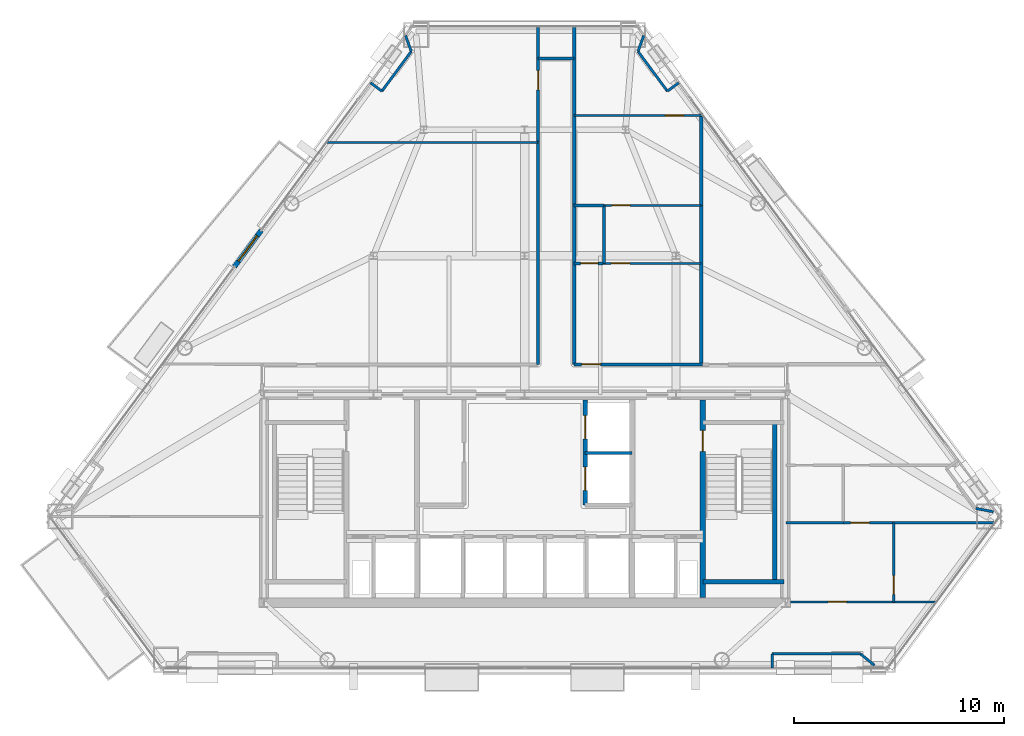
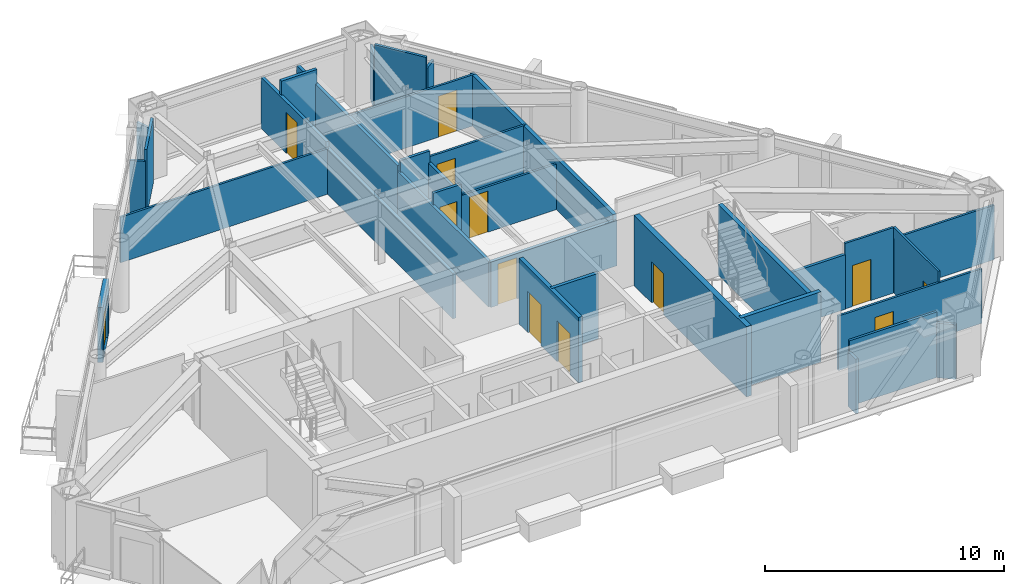
# One storey, part 8 of 11: 36 walls, 13 doors, 13 openings.
"""IFC4 building model written with IfcOpenShell, lengths in metres."""

from ifc_helpers import new_model, si_unit, direction, frame, frame_2d, origin, place, context, subcontext, project, spatial, rectangle, extrude, material, layer, layer_set, type_object, element, fill, save


model = new_model("IFC4")

# Units and contexts
model_context = context("Model", 3, precision=1e-05, world=origin(), true_north=direction((0.0, 1.0)))
body_context = subcontext(model_context, "Body", "Model", "MODEL_VIEW")
ifc_project = project(units=[si_unit("LENGTHUNIT", "METRE"), si_unit("AREAUNIT", "SQUARE_METRE"), si_unit("VOLUMEUNIT", "CUBIC_METRE"), si_unit("PLANEANGLEUNIT", "RADIAN"), si_unit("MASSUNIT", "GRAM", prefix="KILO")], contexts=[model_context])

# Site, building, storey
site_placement = place(None, origin())
site = spatial("IfcSite", under=ifc_project, at=site_placement, CompositionType="ELEMENT")
building_placement = place(site_placement, origin())
building = spatial("IfcBuilding", under=site, at=building_placement, Name="Talgorran Terracotta Tower", CompositionType="ELEMENT")
storey_placement = place(building_placement, frame((0.0, 0.0, 129.300048828125)))
storey = spatial("IfcBuildingStorey", under=building, at=storey_placement, Name="L33", CompositionType="ELEMENT", Elevation=129.300048828125)

# Wall, opening, door
ifc_material_1 = material(Name="Concrete C40/50", Category="concrete")
ifc_layer_1 = layer(ifc_material_1, 0.239990234375, Name="WT_BALCONY_SPAND")
ifc_layer_set_1 = layer_set([ifc_layer_1], Name="Concrete C40/50")
wall_type_1 = type_object("IfcWallType", Name="WT_BALCONY_SPAND", PredefinedType="STANDARD", material=ifc_layer_set_1)
wall_1_placement = place(storey_placement, frame((-12.5322265625, 3.613525390625, -0.01513671875), z_axis=(0.0, 0.0, 1.0), x_axis=(-0.594381437757, -0.804183254271, 0.0)))
wall_1 = element("IfcWall", 1, at=wall_1_placement, inside=storey, type_object=wall_type_1, Name="WL-L33-BALP-BAL-NW", PredefinedType="STANDARD", context=body_context, shape_type="SweptSolid", body=[
    extrude(rectangle(XDim=2.139892578125, YDim=0.239990234375, at=frame_2d((1.06982421875, 0.0))), origin(), (0.0, 0.0, 1.0), 2.80712890625),
])
opening_1_placement = place(wall_1_placement, frame((0.320068359375, 0.0, 0.014892578125)))
opening_1 = element("IfcOpeningElement", 2, at=opening_1_placement, cuts=wall_1, Name="Opening D-BAL-L33-2", PredefinedType="OPENING", context=body_context, shape_type="SweptSolid", body=[
    extrude(rectangle(XDim=1.506, YDim=2.203951171875, at=frame_2d((0.75, 1.10205078125))), frame((0.0, 0.1298828125, 0.0), z_axis=(0.0, -1.0, 0.0), x_axis=(1.0, 0.0, 0.0)), (0.0, 0.0, 1.0), 0.260009765625),
])
ifc_material_2 = material(Name="Thermally Broken Aluminium", Category="aluminium")
door_type_1 = type_object("IfcDoorType", Name="DT_BALC_1500", OperationType="SLIDING_TO_RIGHT", PredefinedType="DOOR", material=ifc_material_2)
door_1_placement = place(opening_1_placement, origin())
door_1 = element("IfcDoor", 3, at=door_1_placement, inside=storey, type_object=door_type_1, Name="DR-L33-BAL-BAL-NW", OperationType="SLIDING_TO_RIGHT", OverallHeight=2.199951171875, OverallWidth=1.5, PredefinedType="DOOR", context=body_context, shape_type="SweptSolid", body=[
    extrude(rectangle(XDim=1.5, YDim=2.199951171875, at=frame_2d((0.75, 1.10009765625))), frame((0.0, 0.02490234375, 0.0), z_axis=(0.0, -1.0, 0.0), x_axis=(1.0, 0.0, 0.0)), (0.0, 0.0, 1.0), 0.050048828125),
])
fill(opening_1, door_1)

# Walls
ifc_material_3 = material(Name="Concrete C50/60", Category="concrete")
ifc_layer_2 = layer(ifc_material_3, 0.199951171875, Name="WT_CORE_200")
ifc_layer_set_2 = layer_set([ifc_layer_2], Name="Concrete C50/60")
wall_type_2 = type_object("IfcWallType", Name="WT_CORE_200", PredefinedType="SOLIDWALL", material=ifc_layer_set_2)
wall_2_placement = place(storey_placement, frame((8.47998046875, -13.10009765625, 0.0), z_axis=(0.0, 0.0, 1.0), x_axis=(1.0, 0.0, 0.0)))
element("IfcWall", 4, at=wall_2_placement, inside=storey, type_object=wall_type_2, Name="WL-L33-CW-ST2-S", PredefinedType="SOLIDWALL", context=body_context, shape_type="SweptSolid", body=[
    extrude(rectangle(XDim=3.8701171875, YDim=0.199951171875, at=frame_2d((1.93505859375, 0.0))), origin(), (0.0, 0.0, 1.0), 3.599853515625),
])
wall_3_placement = place(storey_placement, frame((11.89990234375, -13.10009765625, 0.0), z_axis=(0.0, 0.0, 1.0), x_axis=(0.0, 1.0, 0.0)))
element("IfcWall", 5, at=wall_3_placement, inside=storey, type_object=wall_type_2, Name="WL-L33-CW-ST2-E", PredefinedType="SOLIDWALL", context=body_context, shape_type="SweptSolid", body=[
    extrude(rectangle(XDim=7.580078125, YDim=0.199951171875, at=frame_2d((3.7900390625, 0.0))), origin(), (0.0, 0.0, 1.0), 3.599853515625),
])

# Wall, openings, doors
wall_4_placement = place(storey_placement, frame((2.8798828125, -9.449951171875, 0.0), z_axis=(0.0, 0.0, 1.0), x_axis=(0.0, 1.0, 0.0)))
wall_4 = element("IfcWall", 6, at=wall_4_placement, inside=storey, type_object=wall_type_2, Name="WL-L33-CW-V-E3", PredefinedType="SOLIDWALL", context=body_context, shape_type="SweptSolid", body=[
    extrude(rectangle(XDim=5.0, YDim=0.199951171875, at=frame_2d((2.5, 0.0))), origin(), (0.0, 0.0, 1.0), 3.349853515625),
])
opening_2_placement = place(wall_4_placement, frame((0.699951171875, 0.0, 0.0)))
opening_2 = element("IfcOpeningElement", 7, at=opening_2_placement, cuts=wall_4, Name="Opening LD-PLM1", PredefinedType="OPENING", context=body_context, shape_type="SweptSolid", body=[
    extrude(rectangle(XDim=1.10609765625, YDim=2.10409765625, at=frame_2d((0.550048828125, 1.052001953125))), frame((0.0, 0.10986328125, 0.0), z_axis=(0.0, -1.0, 0.0), x_axis=(1.0, 0.0, 0.0)), (0.0, 0.0, 1.0), 0.219970703125),
])
opening_3_placement = place(wall_4_placement, frame((3.14990234375, 0.0, 0.0)))
opening_3 = element("IfcOpeningElement", 8, at=opening_3_placement, cuts=wall_4, Name="Opening LD-PLM2", PredefinedType="OPENING", context=body_context, shape_type="SweptSolid", body=[
    extrude(rectangle(XDim=1.10609765625, YDim=2.10409765625, at=frame_2d((0.550048828125, 1.052001953125))), frame((0.0, 0.10986328125, 0.0), z_axis=(0.0, -1.0, 0.0), x_axis=(1.0, 0.0, 0.0)), (0.0, 0.0, 1.0), 0.219970703125),
])
ifc_material_4 = material(Name="Brushed Stainless Steel Grade 304", Category="steel")
door_type_2 = type_object("IfcDoorType", Name="DT_LIFT_LD1100", OperationType="DOUBLE_DOOR_SLIDING", PredefinedType="DOOR", material=ifc_material_4)
door_2_placement = place(opening_2_placement, origin())
door_2 = element("IfcDoor", 9, at=door_2_placement, inside=storey, type_object=door_type_2, Name="L33 Lift Landing Door LD-PLM1", OperationType="DOUBLE_DOOR_SLIDING", OverallHeight=2.10009765625, OverallWidth=1.10009765625, PredefinedType="DOOR", context=body_context, shape_type="SweptSolid", body=[
    extrude(rectangle(XDim=1.10009765625, YDim=2.10009765625, at=frame_2d((0.550048828125, 1.050048828125))), frame((0.0, 0.02490234375, 0.0), z_axis=(0.0, -1.0, 0.0), x_axis=(1.0, 0.0, 0.0)), (0.0, 0.0, 1.0), 0.050048828125),
])
fill(opening_2, door_2)
door_3_placement = place(opening_3_placement, origin())
door_3 = element("IfcDoor", 10, at=door_3_placement, inside=storey, type_object=door_type_2, Name="L33 Lift Landing Door LD-PLM2", OperationType="DOUBLE_DOOR_SLIDING", OverallHeight=2.10009765625, OverallWidth=1.10009765625, PredefinedType="DOOR", context=body_context, shape_type="SweptSolid", body=[
    extrude(rectangle(XDim=1.10009765625, YDim=2.10009765625, at=frame_2d((0.550048828125, 1.050048828125))), frame((0.0, 0.02490234375, 0.0), z_axis=(0.0, -1.0, 0.0), x_axis=(1.0, 0.0, 0.0)), (0.0, 0.0, 1.0), 0.050048828125),
])
fill(opening_3, door_3)

# Wall, opening, door
ifc_layer_3 = layer(ifc_material_3, 0.25, Name="WT_CORE_250")
ifc_layer_set_3 = layer_set([ifc_layer_3], Name="Concrete C50/60")
wall_type_3 = type_object("IfcWallType", Name="WT_CORE_250", PredefinedType="SHEAR", material=ifc_layer_set_3)
wall_5_placement = place(storey_placement, frame((8.47998046875, -13.85009765625, 0.0), z_axis=(0.0, 0.0, 1.0), x_axis=(0.0, 1.0, 0.0)))
wall_5 = element("IfcWall", 11, at=wall_5_placement, inside=storey, type_object=wall_type_3, Name="WL-L33-CW-V-E1", PredefinedType="SHEAR", context=body_context, shape_type="SweptSolid", body=[
    extrude(rectangle(XDim=9.400146484375, YDim=0.25, at=frame_2d((4.7001953125, 0.0))), origin(), (0.0, 0.0, 1.0), 3.599853515625),
])
opening_4_placement = place(wall_5_placement, frame((6.949951171875, 0.0, 0.0)))
opening_4 = element("IfcOpeningElement", 12, at=opening_4_placement, cuts=wall_5, Name="Opening DR-ST02", PredefinedType="OPENING", context=body_context, shape_type="SweptSolid", body=[
    extrude(rectangle(XDim=1.006, YDim=2.10409765625, at=frame_2d((0.5, 1.052001953125))), frame((0.0, 0.135009765625, 0.0), z_axis=(0.0, -1.0, 0.0), x_axis=(1.0, 0.0, 0.0)), (0.0, 0.0, 1.0), 0.27001953125),
])
ifc_material_5 = material(Name="Fire-Rated Pressed Steel", Category="steel")
door_type_3 = type_object("IfcDoorType", Name="DT_FIRE_1000", OperationType="NOTDEFINED", PredefinedType="DOOR", material=ifc_material_5)
door_4_placement = place(opening_4_placement, origin())
door_4 = element("IfcDoor", 13, at=door_4_placement, inside=storey, type_object=door_type_3, Name="DR-ST02", OperationType="SINGLE_SWING_RIGHT", OverallHeight=2.10009765625, OverallWidth=1.0, PredefinedType="DOOR", context=body_context, shape_type="SweptSolid", body=[
    extrude(rectangle(XDim=1.0, YDim=2.10009765625, at=frame_2d((0.5, 1.050048828125))), frame((0.0, 0.02490234375, 0.0), z_axis=(0.0, -1.0, 0.0), x_axis=(1.0, 0.0, 0.0)), (0.0, 0.0, 1.0), 0.050048828125),
])
fill(opening_4, door_4)

# Wall
ifc_material_6 = material(Name="Fire-Rated Steel Stud Plasterboard", Category="steel")
ifc_layer_4 = layer(ifc_material_6, 0.14990234375, Name="WT_FIRE_150")
ifc_layer_set_4 = layer_set([ifc_layer_4], Name="Fire-Rated Steel Stud Plasterboard")
wall_type_4 = type_object("IfcWallType", Name="WT_FIRE_150", PredefinedType="PARTITIONING", material=ifc_layer_set_4)
wall_6_placement = place(storey_placement, frame((0.639892578125, -2.760009765625, 0.0), z_axis=(0.0, 0.0, 1.0), x_axis=(0.0, 1.0, 0.0)))
element("IfcWall", 14, at=wall_6_placement, inside=storey, type_object=wall_type_4, Name="WL-L33-W-L33-R03", PredefinedType="PARTITIONING", context=body_context, shape_type="SweptSolid", body=[
    extrude(rectangle(XDim=10.6201171875, YDim=0.14990234375, at=frame_2d((5.31005859375, 0.0))), origin(), (0.0, 0.0, 1.0), 2.324951171875),
])

# Wall, opening, door
wall_7_placement = place(storey_placement, frame((2.360107421875, -2.760009765625, 0.0), z_axis=(0.0, 0.0, 1.0), x_axis=(1.0, 0.0, 0.0)))
wall_7 = element("IfcWall", 15, at=wall_7_placement, inside=storey, type_object=wall_type_4, Name="WL-L33-W-L33-R07", PredefinedType="PARTITIONING", context=body_context, shape_type="SweptSolid", body=[
    extrude(rectangle(XDim=6.099853515625, YDim=0.14990234375, at=frame_2d((3.0498046875, 0.0))), origin(), (0.0, 0.0, 1.0), 2.324951171875),
])
opening_5_placement = place(wall_7_placement, frame((0.358154296875, 0.0, 0.0)))
opening_5 = element("IfcOpeningElement", 16, at=opening_5_placement, cuts=wall_7, Name="Opening DR-L33-R08", PredefinedType="OPENING", context=body_context, shape_type="SweptSolid", body=[
    extrude(rectangle(XDim=0.90590234375, YDim=2.10409765625, at=frame_2d((0.449951171875, 1.052001953125))), frame((0.0, 0.0849609375, 0.0), z_axis=(0.0, -1.0, 0.0), x_axis=(1.0, 0.0, 0.0)), (0.0, 0.0, 1.0), 0.169921875),
])
ifc_material_7 = material(Name="Fire-Rated Timber Core", Category="wood")
door_type_4 = type_object("IfcDoorType", Name="DT_FIRE_900", OperationType="NOTDEFINED", PredefinedType="DOOR", material=ifc_material_7)
door_5_placement = place(opening_5_placement, origin())
door_5 = element("IfcDoor", 17, at=door_5_placement, inside=storey, type_object=door_type_4, Name="DR-L33-R08", OperationType="SINGLE_SWING_RIGHT", OverallHeight=2.10009765625, OverallWidth=0.89990234375, PredefinedType="DOOR", context=body_context, shape_type="SweptSolid", body=[
    extrude(rectangle(XDim=0.89990234375, YDim=2.10009765625, at=frame_2d((0.449951171875, 1.050048828125))), frame((0.0, 0.02490234375, 0.0), z_axis=(0.0, -1.0, 0.0), x_axis=(1.0, 0.0, 0.0)), (0.0, 0.0, 1.0), 0.050048828125),
])
fill(opening_5, door_5)

wall_8_placement = place(storey_placement, frame((0.639892578125, 7.862060546875, 0.0), z_axis=(0.0, 0.0, 1.0), x_axis=(0.0, 1.0, 0.0)))
wall_8 = element("IfcWall", 18, at=wall_8_placement, inside=storey, type_object=wall_type_4, Name="WL-L33-W-L33-R04", PredefinedType="PARTITIONING", context=body_context, shape_type="SweptSolid", body=[
    extrude(rectangle(XDim=5.451416015625, YDim=0.14990234375, at=frame_2d((2.7255859375, 0.0))), origin(), (0.0, 0.0, 1.0), 2.616943359375),
])
opening_6_placement = place(wall_8_placement, frame((2.444580078125, 0.0, 0.0)))
opening_6 = element("IfcOpeningElement", 19, at=opening_6_placement, cuts=wall_8, Name="Opening DR-L33-R07", PredefinedType="OPENING", context=body_context, shape_type="SweptSolid", body=[
    extrude(rectangle(XDim=0.90590234375, YDim=2.10409765625, at=frame_2d((0.449951171875, 1.052001953125))), frame((0.0, 0.0849609375, 0.0), z_axis=(0.0, -1.0, 0.0), x_axis=(1.0, 0.0, 0.0)), (0.0, 0.0, 1.0), 0.169921875),
])
door_6_placement = place(opening_6_placement, origin())
door_6 = element("IfcDoor", 20, at=door_6_placement, inside=storey, type_object=door_type_4, Name="DR-L33-R07", OperationType="SINGLE_SWING_LEFT", OverallHeight=2.10009765625, OverallWidth=0.89990234375, PredefinedType="DOOR", context=body_context, shape_type="SweptSolid", body=[
    extrude(rectangle(XDim=0.89990234375, YDim=2.10009765625, at=frame_2d((0.449951171875, 1.050048828125))), frame((0.0, 0.02490234375, 0.0), z_axis=(0.0, -1.0, 0.0), x_axis=(1.0, 0.0, 0.0)), (0.0, 0.0, 1.0), 0.050048828125),
])
fill(opening_6, door_6)

# Walls
wall_9_placement = place(storey_placement, frame((2.360107421875, -2.760009765625, 0.0), z_axis=(0.0, 0.0, 1.0), x_axis=(0.0, 1.0, 0.0)))
element("IfcWall", 21, at=wall_9_placement, inside=storey, type_object=wall_type_4, Name="WL-L33-W-L33-R06", PredefinedType="PARTITIONING", context=body_context, shape_type="SweptSolid", body=[
    extrude(rectangle(XDim=7.6201171875, YDim=0.14990234375, at=frame_2d((3.81005859375, 0.0))), origin(), (0.0, 0.0, 1.0), 2.324951171875),
])
wall_10_placement = place(storey_placement, frame((2.360107421875, 4.862060546875, 0.0), z_axis=(0.0, 0.0, 1.0), x_axis=(0.0, 1.0, 0.0)))
element("IfcWall", 22, at=wall_10_placement, inside=storey, type_object=wall_type_4, Name="WL-L33-W-L33-R09", PredefinedType="PARTITIONING", context=body_context, shape_type="SweptSolid", body=[
    extrude(rectangle(XDim=8.451416015625, YDim=0.14990234375, at=frame_2d((4.2255859375, 0.0))), origin(), (0.0, 0.0, 1.0), 2.616943359375),
])
wall_11_placement = place(storey_placement, frame((0.639892578125, 11.800048828125, 0.0), z_axis=(0.0, 0.0, 1.0), x_axis=(1.0, 0.0, 0.0)))
element("IfcWall", 23, at=wall_11_placement, inside=storey, type_object=wall_type_4, Name="WL-L33-W-L33-R05", PredefinedType="PARTITIONING", context=body_context, shape_type="SweptSolid", body=[
    extrude(rectangle(XDim=1.72021484375, YDim=0.14990234375, at=frame_2d((0.860107421875, 0.0))), origin(), (0.0, 0.0, 1.0), 3.349853515625),
])
ifc_material_8 = material(Name="Acoustic Stud and Plasterboard")
ifc_layer_5 = layer(ifc_material_8, 0.179931640625, Name="WT_PARTY_200")
ifc_layer_set_5 = layer_set([ifc_layer_5], Name="Acoustic Stud and Plasterboard")
wall_type_5 = type_object("IfcWallType", Name="WT_PARTY_200", PredefinedType="PARTITIONING", material=ifc_layer_set_5)
wall_12_placement = place(storey_placement, frame((8.39990234375, -2.760009765625, 0.0), z_axis=(0.0, 0.0, 1.0), x_axis=(0.0, 1.0, 0.0)))
element("IfcWall", 24, at=wall_12_placement, inside=storey, type_object=wall_type_5, Name="WL-L33-W-L33-R27", PredefinedType="PARTITIONING", context=body_context, shape_type="SweptSolid", body=[
    extrude(rectangle(XDim=7.56005859375, YDim=0.179931640625, at=frame_2d((3.780029296875, 0.0))), origin(), (0.0, 0.0, 1.0), 2.616943359375),
])
wall_13_placement = place(storey_placement, frame((8.39990234375, 4.800048828125, 0.0), z_axis=(0.0, 0.0, 1.0), x_axis=(0.0, 1.0, 0.0)))
element("IfcWall", 25, at=wall_13_placement, inside=storey, type_object=wall_type_5, Name="WL-L33-W-L33-R33", PredefinedType="PARTITIONING", context=body_context, shape_type="SweptSolid", body=[
    extrude(rectangle(XDim=4.404541015625, YDim=0.179931640625, at=frame_2d((2.2021484375, 0.0))), origin(), (0.0, 0.0, 1.0), 2.616943359375),
])
ifc_material_9 = material(Name="Lightweight Steel Stud Partition", Category="steel")
ifc_layer_6 = layer(ifc_material_9, 0.10498046875, Name="WT_PART_110")
ifc_layer_set_6 = layer_set([ifc_layer_6], Name="Lightweight Steel Stud Partition")
wall_type_6 = type_object("IfcWallType", Name="WT_PART_110", PredefinedType="PARTITIONING", material=ifc_layer_set_6)
wall_14_placement = place(storey_placement, frame((-9.43798828125, 7.800048828125, 0.0), z_axis=(0.0, 0.0, 1.0), x_axis=(1.0, 0.0, 0.0)))
element("IfcWall", 26, at=wall_14_placement, inside=storey, type_object=wall_type_6, Name="WL-L33-W-L33-R23", PredefinedType="PARTITIONING", context=body_context, shape_type="SweptSolid", body=[
    extrude(rectangle(XDim=10.077880859375, YDim=0.10498046875, at=frame_2d((5.0390625, 0.0))), origin(), (0.0, 0.0, 1.0), 2.324951171875),
])

# Wall, opening, door
wall_15_placement = place(storey_placement, frame((12.659912109375, -14.06005859375, 0.0), z_axis=(0.0, 0.0, 1.0), x_axis=(1.0, 0.0, 0.0)))
wall_15 = element("IfcWall", 27, at=wall_15_placement, inside=storey, type_object=wall_type_6, Name="WL-L33-W-L33-R21", PredefinedType="PARTITIONING", context=body_context, shape_type="SweptSolid", body=[
    extrude(rectangle(XDim=6.933349609375, YDim=0.10498046875, at=frame_2d((3.466796875, 0.0))), origin(), (0.0, 0.0, 1.0), 2.7919921875),
])
opening_7_placement = place(wall_15_placement, frame((1.780029296875, 0.0, 0.0)))
opening_7 = element("IfcOpeningElement", 28, at=opening_7_placement, cuts=wall_15, Name="Opening DR-L33-R04", PredefinedType="OPENING", context=body_context, shape_type="SweptSolid", body=[
    extrude(rectangle(XDim=0.8858828125, YDim=2.10409765625, at=frame_2d((0.43994140625, 1.052001953125))), frame((0.0, 0.0625, 0.0), z_axis=(0.0, -1.0, 0.0), x_axis=(1.0, 0.0, 0.0)), (0.0, 0.0, 1.0), 0.125),
])
ifc_material_10 = material(Name="Solid-Core Painted Timber", Category="wood")
door_type_5 = type_object("IfcDoorType", Name="DT_INT_880", OperationType="NOTDEFINED", PredefinedType="DOOR", material=ifc_material_10)
door_7_placement = place(opening_7_placement, origin())
door_7 = element("IfcDoor", 29, at=door_7_placement, inside=storey, type_object=door_type_5, Name="DR-L33-R04", OperationType="SINGLE_SWING_RIGHT", OverallHeight=2.10009765625, OverallWidth=0.8798828125, PredefinedType="DOOR", context=body_context, shape_type="SweptSolid", body=[
    extrude(rectangle(XDim=0.8798828125, YDim=2.10009765625, at=frame_2d((0.43994140625, 1.050048828125))), frame((0.0, 0.02490234375, 0.0), z_axis=(0.0, -1.0, 0.0), x_axis=(1.0, 0.0, 0.0)), (0.0, 0.0, 1.0), 0.050048828125),
])
fill(opening_7, door_7)

wall_16_placement = place(storey_placement, frame((2.360107421875, 9.080078125, 0.0), z_axis=(0.0, 0.0, 1.0), x_axis=(1.0, 0.0, 0.0)))
wall_16 = element("IfcWall", 30, at=wall_16_placement, inside=storey, type_object=wall_type_6, Name="WL-L33-W-L33-R32", PredefinedType="PARTITIONING", context=body_context, shape_type="SweptSolid", body=[
    extrude(rectangle(XDim=6.132080078125, YDim=0.10498046875, at=frame_2d((3.06591796875, 0.0))), origin(), (0.0, 0.0, 1.0), 2.616943359375),
])
opening_8_placement = place(wall_16_placement, frame((4.32568359375, 0.0, 0.0)))
opening_8 = element("IfcOpeningElement", 31, at=opening_8_placement, cuts=wall_16, Name="Opening DR-L33-R12", PredefinedType="OPENING", context=body_context, shape_type="SweptSolid", body=[
    extrude(rectangle(XDim=0.8858828125, YDim=2.10409765625, at=frame_2d((0.43994140625, 1.052001953125))), frame((0.0, 0.0625, 0.0), z_axis=(0.0, -1.0, 0.0), x_axis=(1.0, 0.0, 0.0)), (0.0, 0.0, 1.0), 0.125),
])
door_8_placement = place(opening_8_placement, origin())
door_8 = element("IfcDoor", 32, at=door_8_placement, inside=storey, type_object=door_type_5, Name="DR-L33-R12", OperationType="SINGLE_SWING_RIGHT", OverallHeight=2.10009765625, OverallWidth=0.8798828125, PredefinedType="DOOR", context=body_context, shape_type="SweptSolid", body=[
    extrude(rectangle(XDim=0.8798828125, YDim=2.10009765625, at=frame_2d((0.43994140625, 1.050048828125))), frame((0.0, 0.02490234375, 0.0), z_axis=(0.0, -1.0, 0.0), x_axis=(1.0, 0.0, 0.0)), (0.0, 0.0, 1.0), 0.050048828125),
])
fill(opening_8, door_8)

# Wall
wall_17_placement = place(storey_placement, frame((17.5, -10.300048828125, 0.0), z_axis=(0.0, 0.0, 1.0), x_axis=(1.0, 0.0, 0.0)))
element("IfcWall", 33, at=wall_17_placement, inside=storey, type_object=wall_type_6, Name="WL-L33-W-L33-R20", PredefinedType="PARTITIONING", context=body_context, shape_type="SweptSolid", body=[
    extrude(rectangle(XDim=4.8720703125, YDim=0.10498046875, at=frame_2d((2.43603515625, 0.0))), origin(), (0.0, 0.0, 1.0), 2.7919921875),
])

# Wall, opening, door
wall_18_placement = place(storey_placement, frame((3.719970703125, 2.0400390625, 0.0), z_axis=(0.0, 0.0, 1.0), x_axis=(1.0, 0.0, 0.0)))
wall_18 = element("IfcWall", 34, at=wall_18_placement, inside=storey, type_object=wall_type_6, Name="WL-L33-W-L33-R26", PredefinedType="PARTITIONING", context=body_context, shape_type="SweptSolid", body=[
    extrude(rectangle(XDim=4.679931640625, YDim=0.10498046875, at=frame_2d((2.33984375, 0.0))), origin(), (0.0, 0.0, 1.0), 2.324951171875),
])
opening_9_placement = place(wall_18_placement, frame((0.39990234375, 0.0, 0.0)))
opening_9 = element("IfcOpeningElement", 35, at=opening_9_placement, cuts=wall_18, Name="Opening DR-L33-R10", PredefinedType="OPENING", context=body_context, shape_type="SweptSolid", body=[
    extrude(rectangle(XDim=0.8858828125, YDim=2.10409765625, at=frame_2d((0.43994140625, 1.052001953125))), frame((0.0, 0.0625, 0.0), z_axis=(0.0, -1.0, 0.0), x_axis=(1.0, 0.0, 0.0)), (0.0, 0.0, 1.0), 0.125),
])
door_9_placement = place(opening_9_placement, origin())
door_9 = element("IfcDoor", 36, at=door_9_placement, inside=storey, type_object=door_type_5, Name="DR-L33-R10", OperationType="SINGLE_SWING_RIGHT", OverallHeight=2.10009765625, OverallWidth=0.8798828125, PredefinedType="DOOR", context=body_context, shape_type="SweptSolid", body=[
    extrude(rectangle(XDim=0.8798828125, YDim=2.10009765625, at=frame_2d((0.43994140625, 1.050048828125))), frame((0.0, 0.02490234375, 0.0), z_axis=(0.0, -1.0, 0.0), x_axis=(1.0, 0.0, 0.0)), (0.0, 0.0, 1.0), 0.050048828125),
])
fill(opening_9, door_9)

wall_19_placement = place(storey_placement, frame((3.780029296875, 4.800048828125, 0.0), z_axis=(0.0, 0.0, 1.0), x_axis=(1.0, 0.0, 0.0)))
wall_19 = element("IfcWall", 37, at=wall_19_placement, inside=storey, type_object=wall_type_6, Name="WL-L33-W-L33-R30", PredefinedType="PARTITIONING", context=body_context, shape_type="SweptSolid", body=[
    extrude(rectangle(XDim=4.619873046875, YDim=0.10498046875, at=frame_2d((2.31005859375, 0.0))), origin(), (0.0, 0.0, 1.0), 2.616943359375),
])
opening_10_placement = place(wall_19_placement, frame((0.358642578125, 0.0, 0.0)))
opening_10 = element("IfcOpeningElement", 38, at=opening_10_placement, cuts=wall_19, Name="Opening DR-L33-R11", PredefinedType="OPENING", context=body_context, shape_type="SweptSolid", body=[
    extrude(rectangle(XDim=0.8858828125, YDim=2.10409765625, at=frame_2d((0.43994140625, 1.052001953125))), frame((0.0, 0.0625, 0.0), z_axis=(0.0, -1.0, 0.0), x_axis=(1.0, 0.0, 0.0)), (0.0, 0.0, 1.0), 0.125),
])
door_10_placement = place(opening_10_placement, origin())
door_10 = element("IfcDoor", 39, at=door_10_placement, inside=storey, type_object=door_type_5, Name="DR-L33-R11", OperationType="SINGLE_SWING_LEFT", OverallHeight=2.10009765625, OverallWidth=0.8798828125, PredefinedType="DOOR", context=body_context, shape_type="SweptSolid", body=[
    extrude(rectangle(XDim=0.8798828125, YDim=2.10009765625, at=frame_2d((0.43994140625, 1.050048828125))), frame((0.0, 0.02490234375, 0.0), z_axis=(0.0, -1.0, 0.0), x_axis=(1.0, 0.0, 0.0)), (0.0, 0.0, 1.0), 0.050048828125),
])
fill(opening_10, door_10)

wall_20_placement = place(storey_placement, frame((17.56005859375, -14.06005859375, 0.0), z_axis=(0.0, 0.0, 1.0), x_axis=(0.0, 1.0, 0.0)))
wall_20 = element("IfcWall", 40, at=wall_20_placement, inside=storey, type_object=wall_type_6, Name="WL-L33-W-L33-R22", PredefinedType="PARTITIONING", context=body_context, shape_type="SweptSolid", body=[
    extrude(rectangle(XDim=3.760009765625, YDim=0.10498046875, at=frame_2d((1.8798828125, 0.0))), origin(), (0.0, 0.0, 1.0), 3.349853515625),
])
opening_11_placement = place(wall_20_placement, frame((0.360107421875, 0.0, 0.0)))
opening_11 = element("IfcOpeningElement", 41, at=opening_11_placement, cuts=wall_20, Name="Opening DR-L33-R05", PredefinedType="OPENING", context=body_context, shape_type="SweptSolid", body=[
    extrude(rectangle(XDim=0.8858828125, YDim=2.10409765625, at=frame_2d((0.43994140625, 1.052001953125))), frame((0.0, 0.0625, 0.0), z_axis=(0.0, -1.0, 0.0), x_axis=(1.0, 0.0, 0.0)), (0.0, 0.0, 1.0), 0.125),
])
door_11_placement = place(opening_11_placement, origin())
door_11 = element("IfcDoor", 42, at=door_11_placement, inside=storey, type_object=door_type_5, Name="DR-L33-R05", OperationType="SINGLE_SWING_LEFT", OverallHeight=2.10009765625, OverallWidth=0.8798828125, PredefinedType="DOOR", context=body_context, shape_type="SweptSolid", body=[
    extrude(rectangle(XDim=0.8798828125, YDim=2.10009765625, at=frame_2d((0.43994140625, 1.050048828125))), frame((0.0, 0.02490234375, 0.0), z_axis=(0.0, -1.0, 0.0), x_axis=(1.0, 0.0, 0.0)), (0.0, 0.0, 1.0), 0.050048828125),
])
fill(opening_11, door_11)

wall_21_placement = place(storey_placement, frame((15.159912109375, -10.300048828125, 0.0), z_axis=(0.0, 0.0, 1.0), x_axis=(1.0, 0.0, 0.0)))
wall_21 = element("IfcWall", 43, at=wall_21_placement, inside=storey, type_object=wall_type_6, Name="WL-L33-W-L33-R19", PredefinedType="PARTITIONING", context=body_context, shape_type="SweptSolid", body=[
    extrude(rectangle(XDim=2.338134765625, YDim=0.10498046875, at=frame_2d((1.1689453125, 0.0))), origin(), (0.0, 0.0, 1.0), 3.349853515625),
])
opening_12_placement = place(wall_21_placement, frame((0.3564453125, 0.0, 0.0)))
opening_12 = element("IfcOpeningElement", 44, at=opening_12_placement, cuts=wall_21, Name="Opening DR-L33-R16", PredefinedType="OPENING", context=body_context, shape_type="SweptSolid", body=[
    extrude(rectangle(XDim=0.8858828125, YDim=2.10409765625, at=frame_2d((0.43994140625, 1.052001953125))), frame((0.0, 0.0625, 0.0), z_axis=(0.0, -1.0, 0.0), x_axis=(1.0, 0.0, 0.0)), (0.0, 0.0, 1.0), 0.125),
])
door_12_placement = place(opening_12_placement, origin())
door_12 = element("IfcDoor", 45, at=door_12_placement, inside=storey, type_object=door_type_5, Name="DR-L33-R16", OperationType="SINGLE_SWING_RIGHT", OverallHeight=2.10009765625, OverallWidth=0.8798828125, PredefinedType="DOOR", context=body_context, shape_type="SweptSolid", body=[
    extrude(rectangle(XDim=0.8798828125, YDim=2.10009765625, at=frame_2d((0.43994140625, 1.050048828125))), frame((0.0, 0.02490234375, 0.0), z_axis=(0.0, -1.0, 0.0), x_axis=(1.0, 0.0, 0.0)), (0.0, 0.0, 1.0), 0.050048828125),
])
fill(opening_12, door_12)

# Walls
ifc_material_11 = material(Name="Insulated Steel Stud Plasterboard", Category="steel")
ifc_layer_7 = layer(ifc_material_11, 0.1201171875, Name="WT_PART_120")
ifc_layer_set_7 = layer_set([ifc_layer_7], Name="Insulated Steel Stud Plasterboard")
wall_type_7 = type_object("IfcWallType", Name="WT_PART_120", PredefinedType="PARTITIONING", material=ifc_layer_set_7)
wall_22_placement = place(storey_placement, frame((11.771484375, -16.538818359375, 0.0), z_axis=(0.0, 0.0, 1.0), x_axis=(1.0, 0.0, 0.0)))
element("IfcWall", 46, at=wall_22_placement, inside=storey, type_object=wall_type_7, Name="WL-L33-BW-L33-06", PredefinedType="PARTITIONING", context=body_context, shape_type="SweptSolid", body=[
    extrude(rectangle(XDim=4.210693359375, YDim=0.1201171875, at=frame_2d((2.10546875, 0.0))), origin(), (0.0, 0.0, 1.0), 3.349853515625),
])
for number, where, z_axis, x_axis, name in (
    (47, (-5.39404296875, 12.127685546875, 0.0), (0.0, 0.0, 1.0), (-0.594452380644, -0.804130814698, 0.0), "WL-L33-BW-L33-14"),
    (48, (6.79150390625, 10.2373046875, 0.0), (0.0, 0.0, 1.0), (-0.594452380644, 0.804130814698, 0.0), "WL-L33-BW-L33-17"),
):
    element("IfcWall", number, at=place(storey_placement, frame(where, z_axis=z_axis, x_axis=x_axis)), inside=storey, type_object=wall_type_7, Name=name, PredefinedType="PARTITIONING", context=body_context, shape_type="SweptSolid", body=[
        extrude(rectangle(XDim=2.350830078125, YDim=0.1201171875, at=frame_2d((1.17529296875, 0.0))), origin(), (0.0, 0.0, 1.0), 3.349853515625),
    ])
wall_23_placement = place(storey_placement, frame((15.982177734375, -16.538818359375, 0.0), z_axis=(0.0, 0.0, 1.0), x_axis=(0.77301214671, -0.634391220809, 0.0)))
element("IfcWall", 49, at=wall_23_placement, inside=storey, type_object=wall_type_7, Name="WL-L33-BW-L33-04", PredefinedType="PARTITIONING", context=body_context, shape_type="SweptSolid", body=[
    extrude(rectangle(XDim=0.8525390625, YDim=0.1201171875, at=frame_2d((0.42626953125, 0.0))), origin(), (0.0, 0.0, 1.0), 2.7919921875),
])
wall_24_placement = place(storey_placement, frame((22.299560546875, -9.77294921875, 0.0), z_axis=(0.0, 0.0, 1.0), x_axis=(-0.982663626831, 0.185397401557, 0.0)))
element("IfcWall", 50, at=wall_24_placement, inside=storey, type_object=wall_type_7, Name="WL-L33-BW-L33-11", PredefinedType="PARTITIONING", context=body_context, shape_type="SweptSolid", body=[
    extrude(rectangle(XDim=0.8505859375, YDim=0.1201171875, at=frame_2d((0.42529296875, 0.0))), origin(), (0.0, 0.0, 1.0), 2.324951171875),
])
for number, where, z_axis, x_axis, name in (
    (51, (-5.667724609375, 12.884765625, 0.0), (0.0, 0.0, 1.0), (0.339964895184, -0.940438126642, 0.0), "WL-L33-BW-L33-13"),
    (52, (5.39404296875, 12.127685546875, 0.0), (0.0, 0.0, 1.0), (0.339964895184, 0.940438126642, 0.0), "WL-L33-BW-L33-18"),
):
    element("IfcWall", number, at=place(storey_placement, frame(where, z_axis=z_axis, x_axis=x_axis)), inside=storey, type_object=wall_type_7, Name=name, PredefinedType="PARTITIONING", context=body_context, shape_type="SweptSolid", body=[
        extrude(rectangle(XDim=0.804931640625, YDim=0.1201171875, at=frame_2d((0.40234375, 0.0))), origin(), (0.0, 0.0, 1.0), 2.7919921875),
    ])
wall_25_placement = place(storey_placement, frame((11.771484375, -17.208984375, 0.0), z_axis=(0.0, 0.0, 1.0), x_axis=(0.0, 1.0, 0.0)))
element("IfcWall", 53, at=wall_25_placement, inside=storey, type_object=wall_type_7, Name="WL-L33-BW-L33-05", PredefinedType="PARTITIONING", context=body_context, shape_type="SweptSolid", body=[
    extrude(rectangle(XDim=0.670166015625, YDim=0.1201171875, at=frame_2d((0.3349609375, 0.0))), origin(), (0.0, 0.0, 1.0), 2.7919921875),
])
for number, where, z_axis, x_axis, name in (
    (54, (-6.79150390625, 10.2373046875, 0.0), (0.0, 0.0, 1.0), (-0.804092805945, 0.59450379261, 0.0), "WL-L33-BW-L33-15"),
    (55, (7.330078125, 10.635498046875, 0.0), (0.0, 0.0, 1.0), (-0.804092805945, -0.59450379261, 0.0), "WL-L33-BW-L33-16"),
):
    element("IfcWall", number, at=place(storey_placement, frame(where, z_axis=z_axis, x_axis=x_axis)), inside=storey, type_object=wall_type_7, Name=name, PredefinedType="PARTITIONING", context=body_context, shape_type="SweptSolid", body=[
        extrude(rectangle(XDim=0.669677734375, YDim=0.1201171875, at=frame_2d((0.3349609375, 0.0))), origin(), (0.0, 0.0, 1.0), 2.7919921875),
    ])
ifc_material_12 = material(Name="Moisture-Resistant Stud Wall")
ifc_layer_8 = layer(ifc_material_12, 0.135009765625, Name="WT_PART_135")
ifc_layer_set_8 = layer_set([ifc_layer_8], Name="Moisture-Resistant Stud Wall")
wall_type_8 = type_object("IfcWallType", Name="WT_PART_135", PredefinedType="PARTITIONING", material=ifc_layer_set_8)
wall_26_placement = place(storey_placement, frame((3.780029296875, 2.0400390625, 0.0), z_axis=(0.0, 0.0, 1.0), x_axis=(0.0, 1.0, 0.0)))
element("IfcWall", 56, at=wall_26_placement, inside=storey, type_object=wall_type_8, Name="WL-L33-W-L33-R28", PredefinedType="PARTITIONING", context=body_context, shape_type="SweptSolid", body=[
    extrude(rectangle(XDim=2.760009765625, YDim=0.135009765625, at=frame_2d((1.3798828125, 0.0))), origin(), (0.0, 0.0, 1.0), 2.324951171875),
])
wall_27_placement = place(storey_placement, frame((12.43994140625, -10.300048828125, 0.0), z_axis=(0.0, 0.0, 1.0), x_axis=(1.0, 0.0, 0.0)))
element("IfcWall", 57, at=wall_27_placement, inside=storey, type_object=wall_type_8, Name="WL-L33-W-L33-R18", PredefinedType="PARTITIONING", context=body_context, shape_type="SweptSolid", body=[
    extrude(rectangle(XDim=2.719970703125, YDim=0.135009765625, at=frame_2d((1.35986328125, 0.0))), origin(), (0.0, 0.0, 1.0), 2.7919921875),
])

# Wall, opening, door
wall_28_placement = place(storey_placement, frame((2.360107421875, 2.0400390625, 0.0), z_axis=(0.0, 0.0, 1.0), x_axis=(1.0, 0.0, 0.0)))
wall_28 = element("IfcWall", 58, at=wall_28_placement, inside=storey, type_object=wall_type_8, Name="WL-L33-W-L33-R25", PredefinedType="PARTITIONING", context=body_context, shape_type="SweptSolid", body=[
    extrude(rectangle(XDim=1.35791015625, YDim=0.135009765625, at=frame_2d((0.678955078125, 0.0))), origin(), (0.0, 0.0, 1.0), 2.91845703125),
])
opening_13_placement = place(wall_28_placement, frame((0.310791015625, 0.0, 0.0)))
opening_13 = element("IfcOpeningElement", 59, at=opening_13_placement, cuts=wall_28, Name="Opening DR-L33-R09", PredefinedType="OPENING", context=body_context, shape_type="SweptSolid", body=[
    extrude(rectangle(XDim=0.826068359375, YDim=2.10409765625, at=frame_2d((0.41015625, 1.052001953125))), frame((0.0, 0.07763671875, 0.0), z_axis=(0.0, -1.0, 0.0), x_axis=(1.0, 0.0, 0.0)), (0.0, 0.0, 1.0), 0.155029296875),
])
ifc_material_13 = material(Name="Moisture-Resistant Solid Timber", Category="wood")
door_type_6 = type_object("IfcDoorType", Name="DT_INT_820", OperationType="NOTDEFINED", PredefinedType="DOOR", material=ifc_material_13)
door_13_placement = place(opening_13_placement, origin())
door_13 = element("IfcDoor", 60, at=door_13_placement, inside=storey, type_object=door_type_6, Name="DR-L33-R09", OperationType="SINGLE_SWING_LEFT", OverallHeight=2.10009765625, OverallWidth=0.820068359375, PredefinedType="DOOR", context=body_context, shape_type="SweptSolid", body=[
    extrude(rectangle(XDim=0.820068359375, YDim=2.10009765625, at=frame_2d((0.41015625, 1.050048828125))), frame((0.0, 0.02490234375, 0.0), z_axis=(0.0, -1.0, 0.0), x_axis=(1.0, 0.0, 0.0)), (0.0, 0.0, 1.0), 0.050048828125),
])
fill(opening_13, door_13)

# Walls
wall_29_placement = place(storey_placement, frame((2.360107421875, 4.800048828125, 0.0), z_axis=(0.0, 0.0, 1.0), x_axis=(1.0, 0.0, 0.0)))
element("IfcWall", 61, at=wall_29_placement, inside=storey, type_object=wall_type_8, Name="WL-L33-W-L33-R29", PredefinedType="PARTITIONING", context=body_context, shape_type="SweptSolid", body=[
    extrude(rectangle(XDim=1.419921875, YDim=0.135009765625, at=frame_2d((0.7099609375, 0.0))), origin(), (0.0, 0.0, 1.0), 2.91845703125),
])
ifc_material_14 = material(Name="Fire-Rated Shaftwall")
ifc_layer_9 = layer(ifc_material_14, 0.159912109375, Name="WT_PART_150")
ifc_layer_set_9 = layer_set([ifc_layer_9], Name="Fire-Rated Shaftwall")
wall_type_9 = type_object("IfcWallType", Name="WT_PART_150", PredefinedType="PARTITIONING", material=ifc_layer_set_9)
wall_30_placement = place(storey_placement, frame((2.8798828125, -6.97998046875, 0.0), z_axis=(0.0, 0.0, 1.0), x_axis=(1.0, 0.0, 0.0)))
element("IfcWall", 62, at=wall_30_placement, inside=storey, type_object=wall_type_9, Name="WL-L33-CW-PLM-DIV", PredefinedType="PARTITIONING", context=body_context, shape_type="SweptSolid", body=[
    extrude(rectangle(XDim=2.240234375, YDim=0.159912109375, at=frame_2d((1.1201171875, 0.0))), origin(), (0.0, 0.0, 1.0), 3.349853515625),
])

save(model, "model.ifc")
